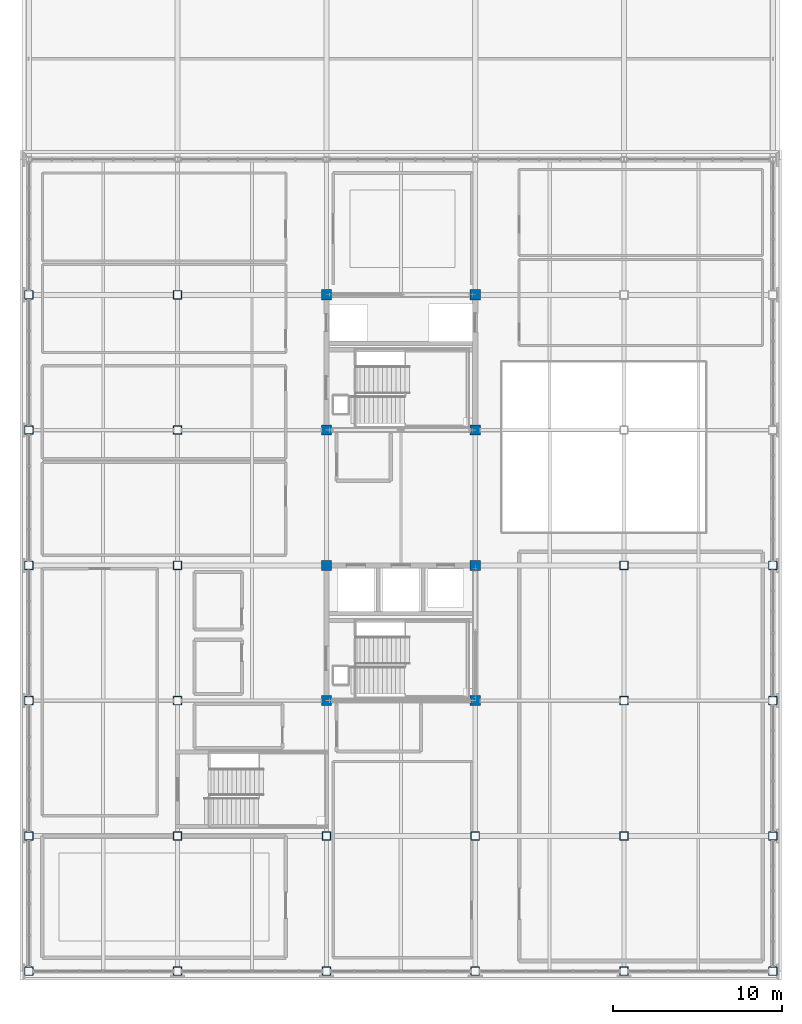
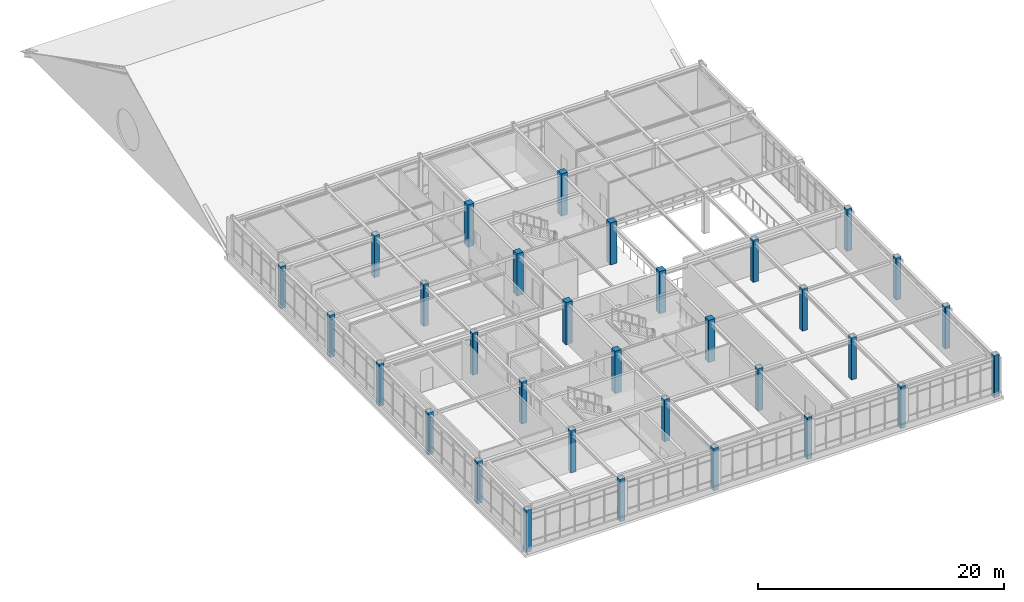
# One storey, part 1 of 45: 32 columns.
"""IFC4 building model written with IfcOpenShell, lengths in metres."""

from ifc_helpers import new_model, si_unit, direction, frame, origin, origin_2d, place, context, subcontext, project, spatial, rectangle, hollow_rectangle, extrude, material, material_profile, profile_set, type_object, element, save


model = new_model("IFC4")

# Units and contexts
model_context = context("Model", 3, precision=1e-05, world=origin(), true_north=direction((0.0, 1.0)))
body_context = subcontext(model_context, "Body", "Model", "MODEL_VIEW")
ifc_project = project(units=[si_unit("LENGTHUNIT", "METRE"), si_unit("AREAUNIT", "SQUARE_METRE"), si_unit("VOLUMEUNIT", "CUBIC_METRE"), si_unit("PLANEANGLEUNIT", "RADIAN"), si_unit("MASSUNIT", "GRAM", prefix="KILO")], contexts=[model_context])

# Site, building, storey
site_placement = place(None, origin())
site = spatial("IfcSite", under=ifc_project, at=site_placement, CompositionType="ELEMENT")
building_placement = place(site_placement, origin())
building = spatial("IfcBuilding", under=site, at=building_placement, Name="Zhaolan Boulevard Law Courts", CompositionType="ELEMENT")
storey_placement = place(building_placement, frame((0.0, 0.0, 24.60009765625)))
storey = spatial("IfcBuildingStorey", under=building, at=storey_placement, Name="L05", CompositionType="ELEMENT", Elevation=24.60009765625)

# Columns
ifc_material_1 = material(Name="Structural steel Q355B", Category="steel")
ifc_material_profile_1 = material_profile(ifc_material_1, hollow_rectangle(XDim=0.5, YDim=0.5, WallThickness=0.02001953125, InnerFilletRadius=0.02001953125, OuterFilletRadius=0.0400390625, at=origin_2d()), Name="BOX500x500x20")
ifc_profile_set_1 = profile_set([ifc_material_profile_1], Name="Structural steel Q355B")
column_type_1 = type_object("IfcColumnType", Name="COL BOX500", PredefinedType="COLUMN", material=ifc_profile_set_1)
for number, where, z_axis, x_axis, name in (
    (1, (0.0, 30.0, 0.0), (0.0, 0.0, 1.0), (1.0, 0.0, 0.0), "Column C-1E (L05)"),
    (2, (0.0, 38.0, 0.0), (0.0, 0.0, 1.0), (1.0, 0.0, 0.0), "Column C-1F (L05)"),
    (3, (0.0, 46.0, 0.0), (0.0, 0.0, 1.0), (1.0, 0.0, 0.0), "Column C-1G (L05)"),
    (4, (0.0, 54.0, 0.0), (0.0, 0.0, 1.0), (1.0, 0.0, 0.0), "Column C-1H (L05)"),
    (5, (0.0, 62.0, 0.0), (0.0, 0.0, 1.0), (1.0, 0.0, 0.0), "Column C-1J (L05)"),
    (6, (0.0, 70.0, 0.0), (0.0, 0.0, 1.0), (1.0, 0.0, 0.0), "Column C-1K (L05)"),
    (7, (8.800048828125, 30.0, 0.0), (0.0, 0.0, 1.0), (1.0, 0.0, 0.0), "Column C-2E (L05)"),
    (8, (8.800048828125, 38.0, 0.0), (0.0, 0.0, 1.0), (1.0, 0.0, 0.0), "Column C-2F (L05)"),
    (9, (8.800048828125, 46.0, 0.0), (0.0, 0.0, 1.0), (1.0, 0.0, 0.0), "Column C-2G (L05)"),
    (10, (8.800048828125, 54.0, 0.0), (0.0, 0.0, 1.0), (1.0, 0.0, 0.0), "Column C-2H (L05)"),
    (11, (8.800048828125, 62.0, 0.0), (0.0, 0.0, 1.0), (1.0, 0.0, 0.0), "Column C-2J (L05)"),
    (12, (8.800048828125, 70.0, 0.0), (0.0, 0.0, 1.0), (1.0, 0.0, 0.0), "Column C-2K (L05)"),
    (13, (17.60009765625, 30.0, 0.0), (0.0, 0.0, 1.0), (1.0, 0.0, 0.0), "Column C-3E (L05)"),
    (14, (17.60009765625, 38.0, 0.0), (0.0, 0.0, 1.0), (1.0, 0.0, 0.0), "Column C-3F (L05)"),
    (15, (26.39990234375, 30.0, 0.0), (0.0, 0.0, 1.0), (1.0, 0.0, 0.0), "Column C-4E (L05)"),
    (16, (26.39990234375, 38.0, 0.0), (0.0, 0.0, 1.0), (1.0, 0.0, 0.0), "Column C-4F (L05)"),
    (17, (35.199951171875, 30.0, 0.0), (0.0, 0.0, 1.0), (1.0, 0.0, 0.0), "Column C-5E (L05)"),
    (18, (35.199951171875, 38.0, 0.0), (0.0, 0.0, 1.0), (1.0, 0.0, 0.0), "Column C-5F (L05)"),
    (19, (35.199951171875, 46.0, 0.0), (0.0, 0.0, 1.0), (1.0, 0.0, 0.0), "Column C-5G (L05)"),
    (20, (35.199951171875, 54.0, 0.0), (0.0, 0.0, 1.0), (1.0, 0.0, 0.0), "Column C-5H (L05)"),
    (21, (44.0, 30.0, 0.0), (0.0, 0.0, 1.0), (1.0, 0.0, 0.0), "Column C-6E (L05)"),
    (22, (44.0, 38.0, 0.0), (0.0, 0.0, 1.0), (1.0, 0.0, 0.0), "Column C-6F (L05)"),
    (23, (44.0, 46.0, 0.0), (0.0, 0.0, 1.0), (1.0, 0.0, 0.0), "Column C-6G (L05)"),
    (24, (44.0, 54.0, 0.0), (0.0, 0.0, 1.0), (1.0, 0.0, 0.0), "Column C-6H (L05)"),
):
    element("IfcColumn", number, at=place(storey_placement, frame(where, z_axis=z_axis, x_axis=x_axis)), inside=storey, type_object=column_type_1, Name=name, PredefinedType="COLUMN", context=body_context, shape_type="SweptSolid", body=[
        extrude(hollow_rectangle(XDim=0.5, YDim=0.5, WallThickness=0.02001953125, InnerFilletRadius=0.02001953125, OuterFilletRadius=0.0400390625, at=origin_2d()), origin(), (0.0, 0.0, 1.0), 4.199951171875),
    ])
ifc_material_2 = material(Name="Concrete C50", Category="concrete")
ifc_material_profile_2 = material_profile(ifc_material_2, rectangle(XDim=0.60009765625, YDim=0.60009765625, at=origin_2d()), Name="RC600x600")
ifc_profile_set_2 = profile_set([ifc_material_profile_2], Name="Concrete C50")
column_type_2 = type_object("IfcColumnType", Name="COL RC600", PredefinedType="COLUMN", material=ifc_profile_set_2)
for number, where, z_axis, x_axis, name in (
    (25, (17.60009765625, 46.0, 0.0), (0.0, 0.0, 1.0), (1.0, 0.0, 0.0), "Column C-3G (L05)"),
    (26, (17.60009765625, 54.0, 0.0), (0.0, 0.0, 1.0), (1.0, 0.0, 0.0), "Column C-3H (L05)"),
    (27, (17.60009765625, 62.0, 0.0), (0.0, 0.0, 1.0), (1.0, 0.0, 0.0), "Column C-3J (L05)"),
    (28, (17.60009765625, 70.0, 0.0), (0.0, 0.0, 1.0), (1.0, 0.0, 0.0), "Column C-3K (L05)"),
    (29, (26.39990234375, 46.0, 0.0), (0.0, 0.0, 1.0), (1.0, 0.0, 0.0), "Column C-4G (L05)"),
    (30, (26.39990234375, 54.0, 0.0), (0.0, 0.0, 1.0), (1.0, 0.0, 0.0), "Column C-4H (L05)"),
    (31, (26.39990234375, 62.0, 0.0), (0.0, 0.0, 1.0), (1.0, 0.0, 0.0), "Column C-4J (L05)"),
    (32, (26.39990234375, 70.0, 0.0), (0.0, 0.0, 1.0), (1.0, 0.0, 0.0), "Column C-4K (L05)"),
):
    element("IfcColumn", number, at=place(storey_placement, frame(where, z_axis=z_axis, x_axis=x_axis)), inside=storey, type_object=column_type_2, Name=name, PredefinedType="COLUMN", context=body_context, shape_type="SweptSolid", body=[
        extrude(rectangle(XDim=0.60009765625, YDim=0.60009765625, at=origin_2d()), origin(), (0.0, 0.0, 1.0), 4.199951171875),
    ])

save(model, "model.ifc")
